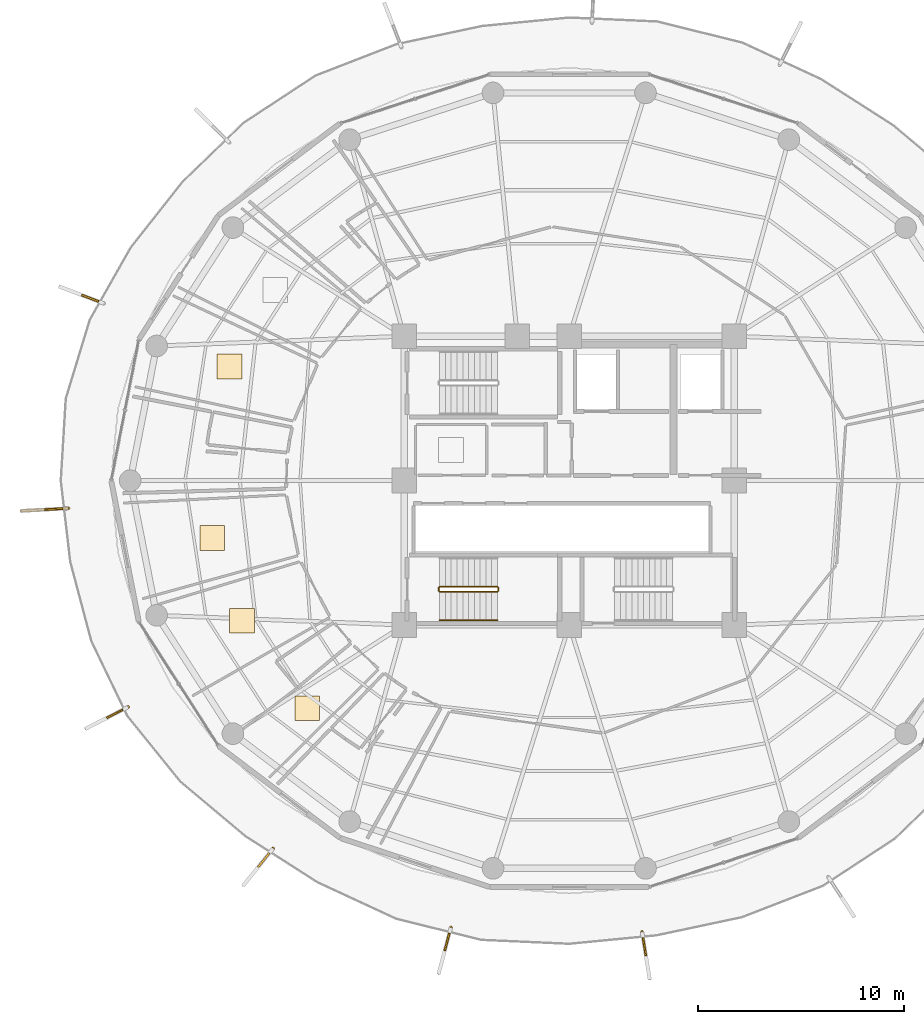
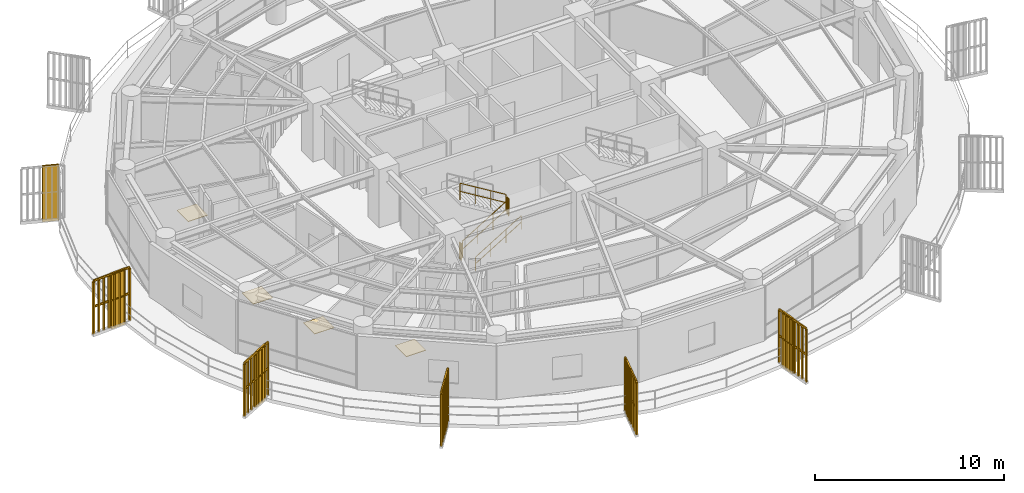
# One storey, part 28 of 31: 10 railings, 6 shading devices, 4 coverings.
"""IFC4 building model written with IfcOpenShell, lengths in metres."""

from ifc_helpers import new_model, si_unit, direction, frame, origin, origin_2d, place, context, subcontext, project, spatial, polyline, rectangle, outline, extrude, source, transform, mapped, material, layer, layer_set, type_object, element, save


model = new_model("IFC4")

# Units and contexts
model_context = context("Model", 3, precision=1e-05, world=origin(), true_north=direction((0.0, 1.0)))
body_context = subcontext(model_context, "Body", "Model", "MODEL_VIEW")
ifc_project = project(units=[si_unit("LENGTHUNIT", "METRE"), si_unit("AREAUNIT", "SQUARE_METRE"), si_unit("VOLUMEUNIT", "CUBIC_METRE"), si_unit("PLANEANGLEUNIT", "RADIAN"), si_unit("MASSUNIT", "GRAM", prefix="KILO")], contexts=[model_context])

# Site, building, storey
site_placement = place(None, origin())
site = spatial("IfcSite", under=ifc_project, at=site_placement, CompositionType="ELEMENT")
building_placement = place(site_placement, origin())
building = spatial("IfcBuilding", under=site, at=building_placement, Name="Kelanora Arch Commons", CompositionType="ELEMENT")
storey_placement = place(building_placement, frame((0.0, 0.0, 196.949951171875)))
storey = spatial("IfcBuildingStorey", under=building, at=storey_placement, Name="L50", CompositionType="ELEMENT", Elevation=196.949951171875)

# Railings
ifc_material_1 = material(Name="Anodised bronze vertical shading fin rib assembly")
railing_type_1 = type_object("IfcRailingType", Name="RAIL-FIN-BRZ", PredefinedType="BALUSTRADE", material=ifc_material_1)
railing_1_placement = place(storey_placement, frame((49.73388671875, 56.658935546875, -0.02001953125)))
element("IfcRailing", 1, at=railing_1_placement, inside=storey, type_object=railing_type_1, Name="Sweeping Bronze Vertical Fin Blade L50-09", PredefinedType="BALUSTRADE", context=body_context, shape_type="SweptSolid", body=[
    extrude(outline(polyline([(0.06982421875, 0.0), (0.034912109375, 0.060546875), (-0.034912109375, 0.060546875), (-0.06982421875, 0.0), (-0.034912109375, -0.060546875), (0.034912109375, -0.060546875), (0.06982421875, 0.0)])), frame((0.0, 0.0, 3.419921875), z_axis=(-0.998480085029, -0.055113698851, 0.0), x_axis=(0.055113698851, -0.998480085029, 0.0)), (0.0, 0.0, 1.0), 2.27685546875),
    extrude(outline(polyline([(0.06982421875, 0.0), (0.034912109375, 0.060546875), (-0.034912109375, 0.060546875), (-0.06982421875, 0.0), (-0.034912109375, -0.060546875), (0.034912109375, -0.060546875), (0.06982421875, 0.0)])), frame((0.0, 0.0, 1.7451171875), z_axis=(-0.998480085029, -0.055113698851, 0.0), x_axis=(0.055113698851, -0.998480085029, 0.0)), (0.0, 0.0, 1.0), 2.27685546875),
    extrude(outline(polyline([(0.080078125, 0.0), (0.0400390625, 0.0693359375), (-0.0400390625, 0.0693359375), (-0.080078125, 0.0), (-0.0400390625, -0.0693359375), (0.0400390625, -0.0693359375), (0.080078125, 0.0)])), origin(), (0.0, 0.0, 1.0), 3.35009765625),
    extrude(outline(polyline([(0.080078125, 0.0), (0.0400390625, 0.0693359375), (-0.0400390625, 0.0693359375), (-0.080078125, 0.0), (-0.0400390625, -0.0693359375), (0.0400390625, -0.0693359375), (0.080078125, 0.0)])), frame((-0.32470703125, -0.017822265625, 0.0)), (0.0, 0.0, 1.0), 3.35009765625),
    extrude(outline(polyline([(0.080078125, 0.0), (0.0400390625, 0.0693359375), (-0.0400390625, 0.0693359375), (-0.080078125, 0.0), (-0.0400390625, -0.0693359375), (0.0400390625, -0.0693359375), (0.080078125, 0.0)])), frame((-0.649658203125, -0.035888671875, 0.0)), (0.0, 0.0, 1.0), 3.35009765625),
    extrude(outline(polyline([(0.080078125, 0.0), (0.0400390625, 0.0693359375), (-0.0400390625, 0.0693359375), (-0.080078125, 0.0), (-0.0400390625, -0.0693359375), (0.0400390625, -0.0693359375), (0.080078125, 0.0)])), frame((-0.974365234375, -0.0537109375, 0.0)), (0.0, 0.0, 1.0), 3.35009765625),
    extrude(outline(polyline([(0.080078125, 0.0), (0.0400390625, 0.0693359375), (-0.0400390625, 0.0693359375), (-0.080078125, 0.0), (-0.0400390625, -0.0693359375), (0.0400390625, -0.0693359375), (0.080078125, 0.0)])), frame((-1.299072265625, -0.07177734375, 0.0)), (0.0, 0.0, 1.0), 3.35009765625),
    extrude(outline(polyline([(0.080078125, 0.0), (0.0400390625, 0.0693359375), (-0.0400390625, 0.0693359375), (-0.080078125, 0.0), (-0.0400390625, -0.0693359375), (0.0400390625, -0.0693359375), (0.080078125, 0.0)])), frame((-1.623779296875, -0.089599609375, 0.0)), (0.0, 0.0, 1.0), 3.35009765625),
    extrude(outline(polyline([(0.080078125, 0.0), (0.0400390625, 0.0693359375), (-0.0400390625, 0.0693359375), (-0.080078125, 0.0), (-0.0400390625, -0.0693359375), (0.0400390625, -0.0693359375), (0.080078125, 0.0)])), frame((-1.94873046875, -0.107666015625, 0.0)), (0.0, 0.0, 1.0), 3.35009765625),
    extrude(outline(polyline([(0.080078125, 0.0), (0.0400390625, 0.0693359375), (-0.0400390625, 0.0693359375), (-0.080078125, 0.0), (-0.0400390625, -0.0693359375), (0.0400390625, -0.0693359375), (0.080078125, 0.0)])), frame((-2.2734375, -0.12548828125, 0.0)), (0.0, 0.0, 1.0), 3.35009765625),
])
railing_2_placement = place(storey_placement, frame((52.61865234375, 47.02880859375, -0.02001953125)))
element("IfcRailing", 2, at=railing_2_placement, inside=storey, type_object=railing_type_1, Name="Sweeping Bronze Vertical Fin Blade L50-10", PredefinedType="BALUSTRADE", context=body_context, shape_type="SweptSolid", body=[
    extrude(outline(polyline([(0.06982421875, 0.0), (0.034912109375, 0.060546875), (-0.034912109375, 0.060546875), (-0.06982421875, 0.0), (-0.034912109375, -0.060546875), (0.034912109375, -0.060546875), (0.06982421875, 0.0)])), frame((0.0, 0.0, 3.419921875), z_axis=(-0.889769459926, -0.456410241102, 0.0), x_axis=(0.456410241102, -0.889769459926, 0.0)), (0.0, 0.0, 1.0), 2.277099609375),
    extrude(outline(polyline([(0.06982421875, 0.0), (0.034912109375, 0.060546875), (-0.034912109375, 0.060546875), (-0.06982421875, 0.0), (-0.034912109375, -0.060546875), (0.034912109375, -0.060546875), (0.06982421875, 0.0)])), frame((0.0, 0.0, 1.7451171875), z_axis=(-0.889769459926, -0.456410241102, 0.0), x_axis=(0.456410241102, -0.889769459926, 0.0)), (0.0, 0.0, 1.0), 2.277099609375),
    extrude(outline(polyline([(0.080078125, 0.0), (0.0400390625, 0.0693359375), (-0.0400390625, 0.0693359375), (-0.080078125, 0.0), (-0.0400390625, -0.0693359375), (0.0400390625, -0.0693359375), (0.080078125, 0.0)])), origin(), (0.0, 0.0, 1.0), 3.35009765625),
    extrude(outline(polyline([(0.080078125, 0.0), (0.0400390625, 0.0693359375), (-0.0400390625, 0.0693359375), (-0.080078125, 0.0), (-0.0400390625, -0.0693359375), (0.0400390625, -0.0693359375), (0.080078125, 0.0)])), frame((-0.28955078125, -0.1484375, 0.0)), (0.0, 0.0, 1.0), 3.35009765625),
    extrude(outline(polyline([(0.080078125, 0.0), (0.0400390625, 0.0693359375), (-0.0400390625, 0.0693359375), (-0.080078125, 0.0), (-0.0400390625, -0.0693359375), (0.0400390625, -0.0693359375), (0.080078125, 0.0)])), frame((-0.578857421875, -0.296875, 0.0)), (0.0, 0.0, 1.0), 3.35009765625),
    extrude(outline(polyline([(0.080078125, 0.0), (0.0400390625, 0.0693359375), (-0.0400390625, 0.0693359375), (-0.080078125, 0.0), (-0.0400390625, -0.0693359375), (0.0400390625, -0.0693359375), (0.080078125, 0.0)])), frame((-0.868408203125, -0.4453125, 0.0)), (0.0, 0.0, 1.0), 3.35009765625),
    extrude(outline(polyline([(0.080078125, 0.0), (0.0400390625, 0.0693359375), (-0.0400390625, 0.0693359375), (-0.080078125, 0.0), (-0.0400390625, -0.0693359375), (0.0400390625, -0.0693359375), (0.080078125, 0.0)])), frame((-1.15771484375, -0.593994140625, 0.0)), (0.0, 0.0, 1.0), 3.35009765625),
    extrude(outline(polyline([(0.080078125, 0.0), (0.0400390625, 0.0693359375), (-0.0400390625, 0.0693359375), (-0.080078125, 0.0), (-0.0400390625, -0.0693359375), (0.0400390625, -0.0693359375), (0.080078125, 0.0)])), frame((-1.447265625, -0.742431640625, 0.0)), (0.0, 0.0, 1.0), 3.35009765625),
    extrude(outline(polyline([(0.080078125, 0.0), (0.0400390625, 0.0693359375), (-0.0400390625, 0.0693359375), (-0.080078125, 0.0), (-0.0400390625, -0.0693359375), (0.0400390625, -0.0693359375), (0.080078125, 0.0)])), frame((-1.736572265625, -0.890869140625, 0.0)), (0.0, 0.0, 1.0), 3.35009765625),
    extrude(outline(polyline([(0.080078125, 0.0), (0.0400390625, 0.0693359375), (-0.0400390625, 0.0693359375), (-0.080078125, 0.0), (-0.0400390625, -0.0693359375), (0.0400390625, -0.0693359375), (0.080078125, 0.0)])), frame((-2.026123046875, -1.039306640625, 0.0)), (0.0, 0.0, 1.0), 3.35009765625),
])
railing_3_placement = place(storey_placement, frame((59.647705078125, 40.173095703125, -0.02001953125)))
element("IfcRailing", 3, at=railing_3_placement, inside=storey, type_object=railing_type_1, Name="Sweeping Bronze Vertical Fin Blade L50-11", PredefinedType="BALUSTRADE", context=body_context, shape_type="SweptSolid", body=[
    extrude(outline(polyline([(0.06982421875, 0.0), (0.034912109375, 0.060546875), (-0.034912109375, 0.060546875), (-0.06982421875, 0.0), (-0.034912109375, -0.060546875), (0.034912109375, -0.060546875), (0.06982421875, 0.0)])), frame((0.0, 0.0, 3.419921875), z_axis=(-0.627110965529, -0.778929930683, 0.0), x_axis=(0.778929930683, -0.627110965529, 0.0)), (0.0, 0.0, 1.0), 2.277099609375),
    extrude(outline(polyline([(0.06982421875, 0.0), (0.034912109375, 0.060546875), (-0.034912109375, 0.060546875), (-0.06982421875, 0.0), (-0.034912109375, -0.060546875), (0.034912109375, -0.060546875), (0.06982421875, 0.0)])), frame((0.0, 0.0, 1.7451171875), z_axis=(-0.627110965529, -0.778929930683, 0.0), x_axis=(0.778929930683, -0.627110965529, 0.0)), (0.0, 0.0, 1.0), 2.277099609375),
    extrude(outline(polyline([(0.080078125, 0.0), (0.0400390625, 0.0693359375), (-0.0400390625, 0.0693359375), (-0.080078125, 0.0), (-0.0400390625, -0.0693359375), (0.0400390625, -0.0693359375), (0.080078125, 0.0)])), origin(), (0.0, 0.0, 1.0), 3.35009765625),
    extrude(outline(polyline([(0.080078125, 0.0), (0.0400390625, 0.0693359375), (-0.0400390625, 0.0693359375), (-0.080078125, 0.0), (-0.0400390625, -0.0693359375), (0.0400390625, -0.0693359375), (0.080078125, 0.0)])), frame((-0.2041015625, -0.25341796875, 0.0)), (0.0, 0.0, 1.0), 3.35009765625),
    extrude(outline(polyline([(0.080078125, 0.0), (0.0400390625, 0.0693359375), (-0.0400390625, 0.0693359375), (-0.080078125, 0.0), (-0.0400390625, -0.0693359375), (0.0400390625, -0.0693359375), (0.080078125, 0.0)])), frame((-0.407958984375, -0.5068359375, 0.0)), (0.0, 0.0, 1.0), 3.35009765625),
    extrude(outline(polyline([(0.080078125, 0.0), (0.0400390625, 0.0693359375), (-0.0400390625, 0.0693359375), (-0.080078125, 0.0), (-0.0400390625, -0.0693359375), (0.0400390625, -0.0693359375), (0.080078125, 0.0)])), frame((-0.612060546875, -0.76025390625, 0.0)), (0.0, 0.0, 1.0), 3.35009765625),
    extrude(outline(polyline([(0.080078125, 0.0), (0.0400390625, 0.0693359375), (-0.0400390625, 0.0693359375), (-0.080078125, 0.0), (-0.0400390625, -0.0693359375), (0.0400390625, -0.0693359375), (0.080078125, 0.0)])), frame((-0.81591796875, -1.013427734375, 0.0)), (0.0, 0.0, 1.0), 3.35009765625),
    extrude(outline(polyline([(0.080078125, 0.0), (0.0400390625, 0.0693359375), (-0.0400390625, 0.0693359375), (-0.080078125, 0.0), (-0.0400390625, -0.0693359375), (0.0400390625, -0.0693359375), (0.080078125, 0.0)])), frame((-1.02001953125, -1.266845703125, 0.0)), (0.0, 0.0, 1.0), 3.35009765625),
    extrude(outline(polyline([(0.080078125, 0.0), (0.0400390625, 0.0693359375), (-0.0400390625, 0.0693359375), (-0.080078125, 0.0), (-0.0400390625, -0.0693359375), (0.0400390625, -0.0693359375), (0.080078125, 0.0)])), frame((-1.223876953125, -1.520263671875, 0.0)), (0.0, 0.0, 1.0), 3.35009765625),
    extrude(outline(polyline([(0.080078125, 0.0), (0.0400390625, 0.0693359375), (-0.0400390625, 0.0693359375), (-0.080078125, 0.0), (-0.0400390625, -0.0693359375), (0.0400390625, -0.0693359375), (0.080078125, 0.0)])), frame((-1.427978515625, -1.773681640625, 0.0)), (0.0, 0.0, 1.0), 3.35009765625),
])
railing_4_placement = place(storey_placement, frame((68.26220703125, 36.340087890625, -0.02001953125)))
element("IfcRailing", 4, at=railing_4_placement, inside=storey, type_object=railing_type_1, Name="Sweeping Bronze Vertical Fin Blade L50-12", PredefinedType="BALUSTRADE", context=body_context, shape_type="SweptSolid", body=[
    extrude(outline(polyline([(0.06982421875, 0.0), (0.034912109375, 0.060546875), (-0.034912109375, 0.060546875), (-0.06982421875, 0.0), (-0.034912109375, -0.060546875), (0.034912109375, -0.060546875), (0.06982421875, 0.0)])), frame((0.0, 0.0, 3.419921875), z_axis=(-0.256060549932, -0.966660744402, 0.0), x_axis=(0.966660744402, -0.256060549932, 0.0)), (0.0, 0.0, 1.0), 2.27685546875),
    extrude(outline(polyline([(0.06982421875, 0.0), (0.034912109375, 0.060546875), (-0.034912109375, 0.060546875), (-0.06982421875, 0.0), (-0.034912109375, -0.060546875), (0.034912109375, -0.060546875), (0.06982421875, 0.0)])), frame((0.0, 0.0, 1.7451171875), z_axis=(-0.256060549932, -0.966660744402, 0.0), x_axis=(0.966660744402, -0.256060549932, 0.0)), (0.0, 0.0, 1.0), 2.27685546875),
    extrude(outline(polyline([(0.080078125, 0.0), (0.0400390625, 0.0693359375), (-0.0400390625, 0.0693359375), (-0.080078125, 0.0), (-0.0400390625, -0.0693359375), (0.0400390625, -0.0693359375), (0.080078125, 0.0)])), origin(), (0.0, 0.0, 1.0), 3.35009765625),
    extrude(outline(polyline([(0.080078125, 0.0), (0.0400390625, 0.0693359375), (-0.0400390625, 0.0693359375), (-0.080078125, 0.0), (-0.0400390625, -0.0693359375), (0.0400390625, -0.0693359375), (0.080078125, 0.0)])), frame((-0.083251953125, -0.314453125, 0.0)), (0.0, 0.0, 1.0), 3.35009765625),
    extrude(outline(polyline([(0.080078125, 0.0), (0.0400390625, 0.0693359375), (-0.0400390625, 0.0693359375), (-0.080078125, 0.0), (-0.0400390625, -0.0693359375), (0.0400390625, -0.0693359375), (0.080078125, 0.0)])), frame((-0.16650390625, -0.62890625, 0.0)), (0.0, 0.0, 1.0), 3.35009765625),
    extrude(outline(polyline([(0.080078125, 0.0), (0.0400390625, 0.0693359375), (-0.0400390625, 0.0693359375), (-0.080078125, 0.0), (-0.0400390625, -0.0693359375), (0.0400390625, -0.0693359375), (0.080078125, 0.0)])), frame((-0.249755859375, -0.943359375, 0.0)), (0.0, 0.0, 1.0), 3.35009765625),
    extrude(outline(polyline([(0.080078125, 0.0), (0.0400390625, 0.0693359375), (-0.0400390625, 0.0693359375), (-0.080078125, 0.0), (-0.0400390625, -0.0693359375), (0.0400390625, -0.0693359375), (0.080078125, 0.0)])), frame((-0.333251953125, -1.257568359375, 0.0)), (0.0, 0.0, 1.0), 3.35009765625),
    extrude(outline(polyline([(0.080078125, 0.0), (0.0400390625, 0.0693359375), (-0.0400390625, 0.0693359375), (-0.080078125, 0.0), (-0.0400390625, -0.0693359375), (0.0400390625, -0.0693359375), (0.080078125, 0.0)])), frame((-0.41650390625, -1.572021484375, 0.0)), (0.0, 0.0, 1.0), 3.35009765625),
    extrude(outline(polyline([(0.080078125, 0.0), (0.0400390625, 0.0693359375), (-0.0400390625, 0.0693359375), (-0.080078125, 0.0), (-0.0400390625, -0.0693359375), (0.0400390625, -0.0693359375), (0.080078125, 0.0)])), frame((-0.499755859375, -1.886474609375, 0.0)), (0.0, 0.0, 1.0), 3.35009765625),
    extrude(outline(polyline([(0.080078125, 0.0), (0.0400390625, 0.0693359375), (-0.0400390625, 0.0693359375), (-0.080078125, 0.0), (-0.0400390625, -0.0693359375), (0.0400390625, -0.0693359375), (0.080078125, 0.0)])), frame((-0.5830078125, -2.200927734375, 0.0)), (0.0, 0.0, 1.0), 3.35009765625),
])
railing_5_placement = place(storey_placement, frame((77.529296875, 36.119384765625, -0.02001953125)))
element("IfcRailing", 5, at=railing_5_placement, inside=storey, type_object=railing_type_1, Name="Sweeping Bronze Vertical Fin Blade L50-13", PredefinedType="BALUSTRADE", context=body_context, shape_type="SweptSolid", body=[
    extrude(outline(polyline([(0.06982421875, 0.0), (0.034912109375, 0.060546875), (-0.034912109375, 0.060546875), (-0.06982421875, 0.0), (-0.034912109375, -0.060546875), (0.034912109375, -0.060546875), (0.06982421875, 0.0)])), frame((0.0, 0.0, 3.419921875), z_axis=(0.159320079703, -0.987226981096, 0.0), x_axis=(0.987226981096, 0.159320079703, 0.0)), (0.0, 0.0, 1.0), 2.277099609375),
    extrude(outline(polyline([(0.06982421875, 0.0), (0.034912109375, 0.060546875), (-0.034912109375, 0.060546875), (-0.06982421875, 0.0), (-0.034912109375, -0.060546875), (0.034912109375, -0.060546875), (0.06982421875, 0.0)])), frame((0.0, 0.0, 1.7451171875), z_axis=(0.159320079703, -0.987226981096, 0.0), x_axis=(0.987226981096, 0.159320079703, 0.0)), (0.0, 0.0, 1.0), 2.277099609375),
    extrude(outline(polyline([(0.080078125, 0.0), (0.0400390625, 0.0693359375), (-0.0400390625, 0.0693359375), (-0.080078125, 0.0), (-0.0400390625, -0.0693359375), (0.0400390625, -0.0693359375), (0.080078125, 0.0)])), origin(), (0.0, 0.0, 1.0), 3.35009765625),
    extrude(outline(polyline([(0.080078125, 0.0), (0.0400390625, 0.0693359375), (-0.0400390625, 0.0693359375), (-0.080078125, 0.0), (-0.0400390625, -0.0693359375), (0.0400390625, -0.0693359375), (0.080078125, 0.0)])), frame((0.0517578125, -0.321044921875, 0.0)), (0.0, 0.0, 1.0), 3.35009765625),
    extrude(outline(polyline([(0.080078125, 0.0), (0.0400390625, 0.0693359375), (-0.0400390625, 0.0693359375), (-0.080078125, 0.0), (-0.0400390625, -0.0693359375), (0.0400390625, -0.0693359375), (0.080078125, 0.0)])), frame((0.103759765625, -0.642333984375, 0.0)), (0.0, 0.0, 1.0), 3.35009765625),
    extrude(outline(polyline([(0.080078125, 0.0), (0.0400390625, 0.0693359375), (-0.0400390625, 0.0693359375), (-0.080078125, 0.0), (-0.0400390625, -0.0693359375), (0.0400390625, -0.0693359375), (0.080078125, 0.0)])), frame((0.155517578125, -0.96337890625, 0.0)), (0.0, 0.0, 1.0), 3.35009765625),
    extrude(outline(polyline([(0.080078125, 0.0), (0.0400390625, 0.0693359375), (-0.0400390625, 0.0693359375), (-0.080078125, 0.0), (-0.0400390625, -0.0693359375), (0.0400390625, -0.0693359375), (0.080078125, 0.0)])), frame((0.207275390625, -1.28466796875, 0.0)), (0.0, 0.0, 1.0), 3.35009765625),
    extrude(outline(polyline([(0.080078125, 0.0), (0.0400390625, 0.0693359375), (-0.0400390625, 0.0693359375), (-0.080078125, 0.0), (-0.0400390625, -0.0693359375), (0.0400390625, -0.0693359375), (0.080078125, 0.0)])), frame((0.259033203125, -1.605712890625, 0.0)), (0.0, 0.0, 1.0), 3.35009765625),
    extrude(outline(polyline([(0.080078125, 0.0), (0.0400390625, 0.0693359375), (-0.0400390625, 0.0693359375), (-0.080078125, 0.0), (-0.0400390625, -0.0693359375), (0.0400390625, -0.0693359375), (0.080078125, 0.0)])), frame((0.31103515625, -1.927001953125, 0.0)), (0.0, 0.0, 1.0), 3.35009765625),
    extrude(outline(polyline([(0.080078125, 0.0), (0.0400390625, 0.0693359375), (-0.0400390625, 0.0693359375), (-0.080078125, 0.0), (-0.0400390625, -0.0693359375), (0.0400390625, -0.0693359375), (0.080078125, 0.0)])), frame((0.36279296875, -2.248046875, 0.0)), (0.0, 0.0, 1.0), 3.35009765625),
])
ifc_material_2 = material(Name="Painted steel stair well guard", Category="steel")
railing_type_2 = type_object("IfcRailingType", Name="RAIL-STAIR-GRD", PredefinedType="GUARDRAIL", material=ifc_material_2)
railing_6_placement = place(storey_placement, frame((67.719970703125, 52.610107421875, 0.17041015625)))
element("IfcRailing", 6, at=railing_6_placement, inside=storey, type_object=railing_type_2, Name="L50 ST-T3 stair guard 1", PredefinedType="GUARDRAIL", context=body_context, shape_type="SweptSolid", body=[
    extrude(outline(polyline([(0.02392578125, 0.0), (0.011962890625, 0.020751953125), (-0.011962890625, 0.020751953125), (-0.02392578125, 0.0), (-0.011962890625, -0.020751953125), (0.011962890625, -0.020751953125), (0.02392578125, 0.0)])), frame((0.0, 0.0, 1.076171875), z_axis=(0.854169791009, 0.0, 0.51999420009), x_axis=(0.0, 1.0, 0.0)), (0.0, 0.0, 1.0), 3.278076171875),
    extrude(outline(polyline([(0.02392578125, 0.0), (0.011962890625, 0.020751953125), (-0.011962890625, 0.020751953125), (-0.02392578125, 0.0), (-0.011962890625, -0.020751953125), (0.011962890625, -0.020751953125), (0.02392578125, 0.0)])), frame((0.0, 0.0, 0.550048828125), z_axis=(0.854169791009, 0.0, 0.51999420009), x_axis=(0.0, 1.0, 0.0)), (0.0, 0.0, 1.0), 3.278076171875),
    extrude(outline(polyline([(0.02099609375, 0.0), (0.010498046875, 0.01806640625), (-0.010498046875, 0.01806640625), (-0.02099609375, 0.0), (-0.010498046875, -0.01806640625), (0.010498046875, -0.01806640625), (0.02099609375, 0.0)])), origin(), (0.0, 0.0, 1.0), 1.052001953125),
    extrude(outline(polyline([(0.02099609375, 0.0), (0.010498046875, 0.01806640625), (-0.010498046875, 0.01806640625), (-0.02099609375, 0.0), (-0.010498046875, -0.01806640625), (0.010498046875, -0.01806640625), (0.02099609375, 0.0)])), frame((0.933349609375, 0.0, 0.568115234375)), (0.0, 0.0, 1.0), 1.052001953125),
    extrude(outline(polyline([(0.02099609375, 0.0), (0.010498046875, 0.01806640625), (-0.010498046875, 0.01806640625), (-0.02099609375, 0.0), (-0.010498046875, -0.01806640625), (0.010498046875, -0.01806640625), (0.02099609375, 0.0)])), frame((1.86669921875, 0.0, 1.136474609375)), (0.0, 0.0, 1.0), 1.052001953125),
    extrude(outline(polyline([(0.02099609375, 0.0), (0.010498046875, 0.01806640625), (-0.010498046875, 0.01806640625), (-0.02099609375, 0.0), (-0.010498046875, -0.01806640625), (0.010498046875, -0.01806640625), (0.02099609375, 0.0)])), frame((2.800048828125, 0.0, 1.70458984375)), (0.0, 0.0, 1.0), 1.052001953125),
])
railing_7_placement = place(storey_placement, frame((70.570068359375, 52.659912109375, 1.875)))
element("IfcRailing", 7, at=railing_7_placement, inside=storey, type_object=railing_type_2, Name="L50 ST-T3 stair guard 2", PredefinedType="GUARDRAIL", context=body_context, shape_type="SweptSolid", body=[
    extrude(outline(polyline([(0.02392578125, 0.0), (0.011962890625, 0.020751953125), (-0.011962890625, 0.020751953125), (-0.02392578125, 0.0), (-0.011962890625, -0.020751953125), (0.011962890625, -0.020751953125), (0.02392578125, 0.0)])), frame((0.0, 0.0, 1.076171875), z_axis=(0.0, 1.0, 0.0), x_axis=(-1.0, 0.0, 0.0)), (0.0, 0.0, 1.0), 0.150146484375),
    extrude(outline(polyline([(0.02392578125, 0.0), (0.011962890625, 0.020751953125), (-0.011962890625, 0.020751953125), (-0.02392578125, 0.0), (-0.011962890625, -0.020751953125), (0.011962890625, -0.020751953125), (0.02392578125, 0.0)])), frame((0.0, 0.0, 0.550048828125), z_axis=(0.0, 1.0, 0.0), x_axis=(-1.0, 0.0, 0.0)), (0.0, 0.0, 1.0), 0.150146484375),
    extrude(outline(polyline([(0.02099609375, 0.0), (0.010498046875, 0.01806640625), (-0.010498046875, 0.01806640625), (-0.02099609375, 0.0), (-0.010498046875, -0.01806640625), (0.010498046875, -0.01806640625), (0.02099609375, 0.0)])), origin(), (0.0, 0.0, 1.0), 1.052001953125),
    extrude(outline(polyline([(0.02099609375, 0.0), (0.010498046875, 0.01806640625), (-0.010498046875, 0.01806640625), (-0.02099609375, 0.0), (-0.010498046875, -0.01806640625), (0.010498046875, -0.01806640625), (0.02099609375, 0.0)])), frame((0.0, 0.150146484375, 0.0)), (0.0, 0.0, 1.0), 1.052001953125),
])
railing_8_placement = place(storey_placement, frame((70.52001953125, 52.860107421875, 2.04541015625)))
element("IfcRailing", 8, at=railing_8_placement, inside=storey, type_object=railing_type_2, Name="L50 ST-T3 stair guard 3", PredefinedType="GUARDRAIL", context=body_context, shape_type="SweptSolid", body=[
    extrude(outline(polyline([(0.02392578125, 0.0), (0.011962890625, 0.020751953125), (-0.011962890625, 0.020751953125), (-0.02392578125, 0.0), (-0.011962890625, -0.020751953125), (0.011962890625, -0.020751953125), (0.02392578125, 0.0)])), frame((0.0, 0.0, 1.076171875), z_axis=(-0.854169791009, 0.0, 0.51999420009), x_axis=(0.0, -1.0, 0.0)), (0.0, 0.0, 1.0), 3.278076171875),
    extrude(outline(polyline([(0.02392578125, 0.0), (0.011962890625, 0.020751953125), (-0.011962890625, 0.020751953125), (-0.02392578125, 0.0), (-0.011962890625, -0.020751953125), (0.011962890625, -0.020751953125), (0.02392578125, 0.0)])), frame((0.0, 0.0, 0.550048828125), z_axis=(-0.854169791009, 0.0, 0.51999420009), x_axis=(0.0, -1.0, 0.0)), (0.0, 0.0, 1.0), 3.278076171875),
    extrude(outline(polyline([(0.02099609375, 0.0), (0.010498046875, 0.01806640625), (-0.010498046875, 0.01806640625), (-0.02099609375, 0.0), (-0.010498046875, -0.01806640625), (0.010498046875, -0.01806640625), (0.02099609375, 0.0)])), origin(), (0.0, 0.0, 1.0), 1.052001953125),
    extrude(outline(polyline([(0.02099609375, 0.0), (0.010498046875, 0.01806640625), (-0.010498046875, 0.01806640625), (-0.02099609375, 0.0), (-0.010498046875, -0.01806640625), (0.010498046875, -0.01806640625), (0.02099609375, 0.0)])), frame((-0.933349609375, 0.0, 0.568115234375)), (0.0, 0.0, 1.0), 1.052001953125),
    extrude(outline(polyline([(0.02099609375, 0.0), (0.010498046875, 0.01806640625), (-0.010498046875, 0.01806640625), (-0.02099609375, 0.0), (-0.010498046875, -0.01806640625), (0.010498046875, -0.01806640625), (0.02099609375, 0.0)])), frame((-1.86669921875, 0.0, 1.136474609375)), (0.0, 0.0, 1.0), 1.052001953125),
    extrude(outline(polyline([(0.02099609375, 0.0), (0.010498046875, 0.01806640625), (-0.010498046875, 0.01806640625), (-0.02099609375, 0.0), (-0.010498046875, -0.01806640625), (0.010498046875, -0.01806640625), (0.02099609375, 0.0)])), frame((-2.800048828125, 0.0, 1.70458984375)), (0.0, 0.0, 1.0), 1.052001953125),
])
railing_9_placement = place(storey_placement, frame((67.669921875, 52.659912109375, 0.0)))
element("IfcRailing", 9, at=railing_9_placement, inside=storey, type_object=railing_type_2, Name="L50 ST-T3 stair guard 4", PredefinedType="GUARDRAIL", context=body_context, shape_type="SweptSolid", body=[
    extrude(outline(polyline([(0.02392578125, 0.0), (0.011962890625, 0.020751953125), (-0.011962890625, 0.020751953125), (-0.02392578125, 0.0), (-0.011962890625, -0.020751953125), (0.011962890625, -0.020751953125), (0.02392578125, 0.0)])), frame((0.0, 0.0, 1.076171875), z_axis=(0.0, 1.0, 0.0), x_axis=(-1.0, 0.0, 0.0)), (0.0, 0.0, 1.0), 0.150146484375),
    extrude(outline(polyline([(0.02392578125, 0.0), (0.011962890625, 0.020751953125), (-0.011962890625, 0.020751953125), (-0.02392578125, 0.0), (-0.011962890625, -0.020751953125), (0.011962890625, -0.020751953125), (0.02392578125, 0.0)])), frame((0.0, 0.0, 0.550048828125), z_axis=(0.0, 1.0, 0.0), x_axis=(-1.0, 0.0, 0.0)), (0.0, 0.0, 1.0), 0.150146484375),
    extrude(outline(polyline([(0.02099609375, 0.0), (0.010498046875, 0.01806640625), (-0.010498046875, 0.01806640625), (-0.02099609375, 0.0), (-0.010498046875, -0.01806640625), (0.010498046875, -0.01806640625), (0.02099609375, 0.0)])), origin(), (0.0, 0.0, 1.0), 1.052001953125),
    extrude(outline(polyline([(0.02099609375, 0.0), (0.010498046875, 0.01806640625), (-0.010498046875, 0.01806640625), (-0.02099609375, 0.0), (-0.010498046875, -0.01806640625), (0.010498046875, -0.01806640625), (0.02099609375, 0.0)])), frame((0.0, 0.150146484375, 0.0)), (0.0, 0.0, 1.0), 1.052001953125),
])
ifc_material_3 = material(Name="Brushed stainless steel stair handrail", Category="steel")
railing_type_3 = type_object("IfcRailingType", Name="RAIL-STAIR-HND", PredefinedType="HANDRAIL", material=ifc_material_3)
railing_10_placement = place(storey_placement, frame((67.719970703125, 51.22998046875, 0.17041015625)))
element("IfcRailing", 10, at=railing_10_placement, inside=storey, type_object=railing_type_3, Name="L50 ST-T3 stair handrail 1", PredefinedType="HANDRAIL", context=body_context, shape_type="SweptSolid", body=[
    extrude(outline(polyline([(0.02392578125, 0.0), (0.011962890625, 0.020751953125), (-0.011962890625, 0.020751953125), (-0.02392578125, 0.0), (-0.011962890625, -0.020751953125), (0.011962890625, -0.020751953125), (0.02392578125, 0.0)])), frame((0.0, 0.0, 0.8759765625), z_axis=(0.854169791009, 0.0, 0.51999420009), x_axis=(0.0, 1.0, 0.0)), (0.0, 0.0, 1.0), 3.278076171875),
    extrude(outline(polyline([(0.02392578125, 0.0), (0.011962890625, 0.020751953125), (-0.011962890625, 0.020751953125), (-0.02392578125, 0.0), (-0.011962890625, -0.020751953125), (0.011962890625, -0.020751953125), (0.02392578125, 0.0)])), frame((0.0, 0.0, 0.449951171875), z_axis=(0.854169791009, 0.0, 0.51999420009), x_axis=(0.0, 1.0, 0.0)), (0.0, 0.0, 1.0), 3.278076171875),
    extrude(outline(polyline([(0.02099609375, 0.0), (0.010498046875, 0.01806640625), (-0.010498046875, 0.01806640625), (-0.02099609375, 0.0), (-0.010498046875, -0.01806640625), (0.010498046875, -0.01806640625), (0.02099609375, 0.0)])), origin(), (0.0, 0.0, 1.0), 0.851806640625),
    extrude(outline(polyline([(0.02099609375, 0.0), (0.010498046875, 0.01806640625), (-0.010498046875, 0.01806640625), (-0.02099609375, 0.0), (-0.010498046875, -0.01806640625), (0.010498046875, -0.01806640625), (0.02099609375, 0.0)])), frame((0.933349609375, 0.0, 0.568115234375)), (0.0, 0.0, 1.0), 0.851806640625),
    extrude(outline(polyline([(0.02099609375, 0.0), (0.010498046875, 0.01806640625), (-0.010498046875, 0.01806640625), (-0.02099609375, 0.0), (-0.010498046875, -0.01806640625), (0.010498046875, -0.01806640625), (0.02099609375, 0.0)])), frame((1.86669921875, 0.0, 1.136474609375)), (0.0, 0.0, 1.0), 0.851806640625),
    extrude(outline(polyline([(0.02099609375, 0.0), (0.010498046875, 0.01806640625), (-0.010498046875, 0.01806640625), (-0.02099609375, 0.0), (-0.010498046875, -0.01806640625), (0.010498046875, -0.01806640625), (0.02099609375, 0.0)])), frame((2.800048828125, 0.0, 1.70458984375)), (0.0, 0.0, 1.0), 0.851806640625),
])

# Shading devices
ifc_material_4 = material(Name="Terracotta ceramic-clad extruded aluminium fin", Category="masonry")
shading_device_type = type_object("IfcShadingDeviceType", Name="SHD-FIN-FLARE", PredefinedType="USERDEFINED", material=ifc_material_4)
shared_shape_1 = source(origin(), body_context, "Body", "SweptSolid", [
    extrude(rectangle(XDim=0.8798828125, YDim=0.090087890625, at=origin_2d()), origin(), (0.0, 0.0, 1.0), 3.610107421875),
])
for number, where, z_axis, x_axis, name in (
    (11, (50.782470703125, 66.836669921875, -0.14013671875), (0.0, 0.0, 1.0), (-0.934577537177, 0.355759507257, 0.0), "Sweeping Terracotta Fin L50-08"),
    (12, (49.01513671875, 56.619384765625, -0.14013671875), (0.0, 0.0, 1.0), (-0.998479491627, -0.055124448298, 0.0), "Sweeping Terracotta Fin L50-09"),
    (13, (51.97802734375, 46.7001953125, -0.14013671875), (0.0, 0.0, 1.0), (-0.889735271073, -0.456476885952, 0.0), "Sweeping Terracotta Fin L50-10"),
    (14, (59.1962890625, 39.6123046875, -0.14013671875), (0.0, 0.0, 1.0), (-0.62714773916, -0.778900323063, 0.0), "Sweeping Terracotta Fin L50-11"),
    (15, (68.077880859375, 35.644287109375, -0.14013671875), (0.0, 0.0, 1.0), (-0.256120665687, -0.966644818229, 0.0), "Sweeping Terracotta Fin L50-12"),
    (16, (77.64404296875, 35.40869140625, -0.14013671875), (0.0, 0.0, 1.0), (0.159191997666, -0.98724764263, 0.0), "Sweeping Terracotta Fin L50-13"),
):
    element("IfcShadingDevice", number, at=place(storey_placement, frame(where, z_axis=z_axis, x_axis=x_axis)), inside=storey, type_object=shading_device_type, Name=name, ObjectType="FIN", PredefinedType="USERDEFINED", context=body_context, shape_type="MappedRepresentation", body=[
        mapped(shared_shape_1, transform((0.0, 0.0, 0.0), scale=1.0)),
    ])

# Coverings
ifc_material_5 = material(Name="Polished local granite terrazzo flooring", Category="masonry")
ifc_layer = layer(ifc_material_5, 0.030029296875)
ifc_layer_set = layer_set([ifc_layer], Name="Polished local granite terrazzo flooring")
covering_type = type_object("IfcCoveringType", Name="COV-FLR-TER", PredefinedType="FLOORING", material=ifc_layer_set)
shared_shape_2 = source(origin(), body_context, "Body", "SweptSolid", [
    extrude(rectangle(XDim=1.199951171875, YDim=1.199951171875, at=origin_2d()), origin(), (0.0, 0.0, 1.0), 0.030029296875),
])
for number, where, z_axis, x_axis, name in (
    (17, (57.537353515625, 63.52587890625, 0.0), (0.0, 0.0, 1.0), (1.0, 0.0, 0.0), "Quiet Seminar Study Room L50-03 Terrazzo Finish"),
    (18, (56.701416015625, 55.214599609375, 0.0), (0.0, 0.0, 1.0), (1.0, 0.0, 0.0), "Shared Cluster Kitchen L50-05 Terrazzo Finish"),
    (19, (58.1357421875, 51.20654296875, 0.0), (0.0, 0.0, 1.0), (1.0, 0.0, 0.0), "Social Sky Lounge L50-06 Terrazzo Finish"),
    (20, (61.297119140625, 46.969970703125, 0.0), (0.0, 0.0, 1.0), (1.0, 0.0, 0.0), "Tutorial Study Alcove L50-07 Terrazzo Finish"),
):
    element("IfcCovering", number, at=place(storey_placement, frame(where, z_axis=z_axis, x_axis=x_axis)), inside=storey, type_object=covering_type, Name=name, PredefinedType="FLOORING", context=body_context, shape_type="MappedRepresentation", body=[
        mapped(shared_shape_2, transform((0.0, 0.0, 0.0), scale=1.0)),
    ])

save(model, "model.ifc")
